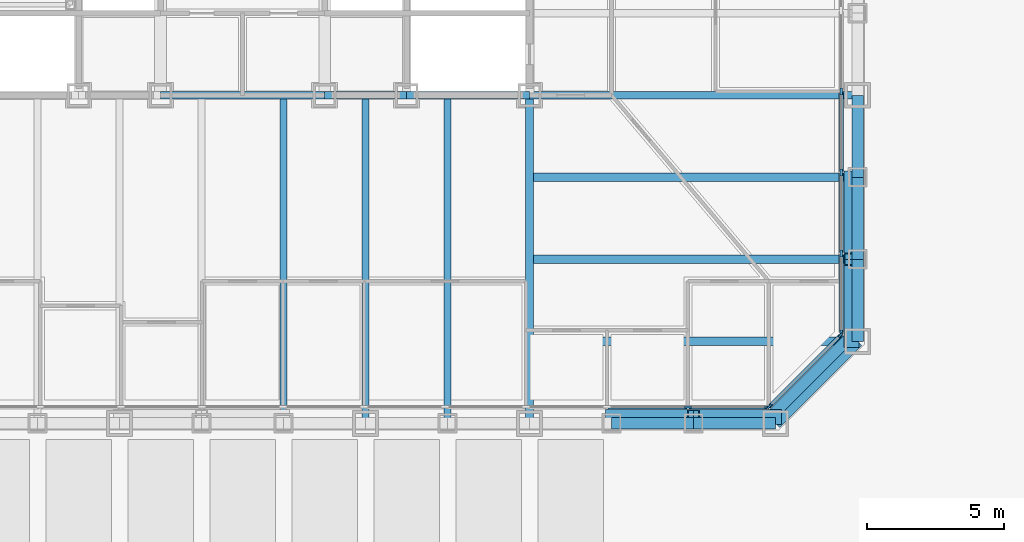
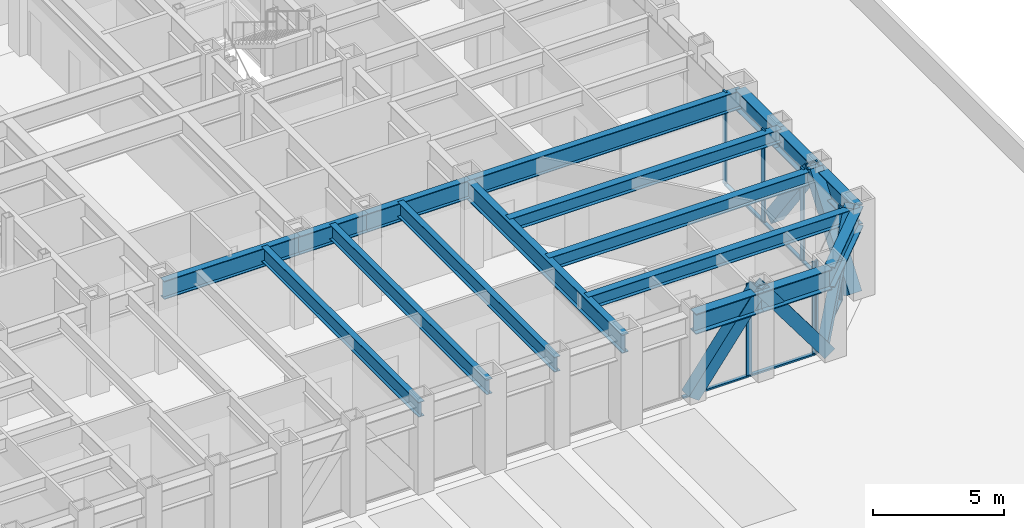
# One storey, part 3 of 18: 19 members, 17 beams, 3 elements without a shape of their own.
"""IFC4 building model written with IfcOpenShell, lengths in metres."""

from ifc_helpers import new_model, si_unit, direction, frame, origin, origin_2d, place, context, subcontext, project, spatial, rectangle, hollow_rectangle, i_section, extrude, material, layer, layer_set, material_profile, profile_set, type_object, element, aggregate, save


model = new_model("IFC4")

# Units and contexts
model_context = context("Model", 3, precision=1e-05, world=origin(), true_north=direction((0.0, 1.0)))
body_context = subcontext(model_context, "Body", "Model", "MODEL_VIEW")
ifc_project = project(units=[si_unit("LENGTHUNIT", "METRE"), si_unit("AREAUNIT", "SQUARE_METRE"), si_unit("VOLUMEUNIT", "CUBIC_METRE"), si_unit("PLANEANGLEUNIT", "RADIAN"), si_unit("MASSUNIT", "GRAM", prefix="KILO")], contexts=[model_context])

# Site, building, storey
site_placement = place(None, origin())
site = spatial("IfcSite", under=ifc_project, at=site_placement, CompositionType="ELEMENT")
building_placement = place(site_placement, origin())
building = spatial("IfcBuilding", under=site, at=building_placement, Name="Chuquiago Exchange Tower", CompositionType="ELEMENT")
storey_placement = place(building_placement, frame((0.0, 0.0, 24.300048828125)))
storey = spatial("IfcBuildingStorey", under=building, at=storey_placement, Name="L04", CompositionType="ELEMENT", Elevation=24.300048828125)

# Beams
ifc_material_1 = material(Name="Steel ASTM A992", Category="steel")
ifc_material_profile_1 = material_profile(ifc_material_1, i_section(OverallWidth=0.2919921875, OverallDepth=0.8583984375, WebThickness=0.01708984375, FlangeThickness=0.031005859375, at=origin_2d()), Name="W33X169")
ifc_profile_set_1 = profile_set([ifc_material_profile_1], Name="Steel ASTM A992")
beam_type_1 = type_object("IfcBeamType", Name="B3 W33X169", PredefinedType="BEAM", material=ifc_profile_set_1)
beam_1_placement = place(storey_placement, frame((19.5, 12.0, 3.610595703125), z_axis=(1.0, 0.0, 0.0), x_axis=(0.0, 1.0, 0.0)))
element("IfcBeam", 1, at=beam_1_placement, inside=storey, type_object=beam_type_1, Name="CB-L05-19.5_12-25.5_12", PredefinedType="BEAM", context=body_context, shape_type="SweptSolid", body=[
    extrude(i_section(OverallWidth=0.2919921875, OverallDepth=0.8583984375, WebThickness=0.01708984375, FlangeThickness=0.031005859375, at=origin_2d()), origin(), (0.0, 0.0, 1.0), 6.0),
])
beam_2_placement = place(storey_placement, frame((25.5, 12.0, 3.610595703125), z_axis=(1.0, 0.0, 0.0), x_axis=(0.0, 1.0, 0.0)))
element("IfcBeam", 2, at=beam_2_placement, inside=storey, type_object=beam_type_1, Name="CB-L05-25.5_12-28.5_12", PredefinedType="BEAM", context=body_context, shape_type="SweptSolid", body=[
    extrude(i_section(OverallWidth=0.2919921875, OverallDepth=0.8583984375, WebThickness=0.01708984375, FlangeThickness=0.031005859375, at=origin_2d()), origin(), (0.0, 0.0, 1.0), 3.0),
])
beam_3_placement = place(storey_placement, frame((28.5, 12.0, 3.610595703125), z_axis=(1.0, 0.0, 0.0), x_axis=(0.0, 1.0, 0.0)))
element("IfcBeam", 3, at=beam_3_placement, inside=storey, type_object=beam_type_1, Name="CB-L05-28.5_12-33_12", PredefinedType="BEAM", context=body_context, shape_type="SweptSolid", body=[
    extrude(i_section(OverallWidth=0.2919921875, OverallDepth=0.8583984375, WebThickness=0.01708984375, FlangeThickness=0.031005859375, at=origin_2d()), origin(), (0.0, 0.0, 1.0), 4.5),
])
ifc_material_2 = material(Name="Steel ASTM A992", Category="steel")
ifc_material_profile_2 = material_profile(ifc_material_2, i_section(OverallWidth=0.256591796875, OverallDepth=0.693359375, WebThickness=0.014404296875, FlangeThickness=0.023681640625, at=origin_2d()), Name="W27X114")
ifc_profile_set_2 = profile_set([ifc_material_profile_2], Name="Steel ASTM A992")
beam_type_2 = type_object("IfcBeamType", Name="B4 W27X114", PredefinedType="BEAM", material=ifc_profile_set_2)
for number, where, z_axis, x_axis, name in (
    (4, (24.0, 12.0, 3.693359375), (0.0, -1.0, 0.0), (1.0, 0.0, 0.0), "FB-L05-infill-24_12-24_-0-0"),
    (5, (27.0, 12.0, 3.693359375), (0.0, -1.0, 0.0), (1.0, 0.0, 0.0), "FB-L05-infill-27_12-27_-0-0"),
    (6, (30.0, 12.0, 3.693359375), (0.0, -1.0, 0.0), (1.0, 0.0, 0.0), "FB-L05-infill-30_12-30_-0-0"),
):
    element("IfcBeam", number, at=place(storey_placement, frame(where, z_axis=z_axis, x_axis=x_axis)), inside=storey, type_object=beam_type_2, Name=name, PredefinedType="BEAM", context=body_context, shape_type="SweptSolid", body=[
        extrude(i_section(OverallWidth=0.256591796875, OverallDepth=0.693359375, WebThickness=0.014404296875, FlangeThickness=0.023681640625, at=origin_2d()), origin(), (0.0, 0.0, 1.0), 12.0),
    ])
ifc_material_3 = material(Name="Steel ASTM A992", Category="steel")
ifc_material_profile_3 = material_profile(ifc_material_3, i_section(OverallWidth=0.3251953125, OverallDepth=0.6171875, WebThickness=0.013916015625, FlangeThickness=0.021484375, at=origin_2d()), Name="W24X117")
ifc_profile_set_3 = profile_set([ifc_material_profile_3], Name="Steel ASTM A992")
beam_type_3 = type_object("IfcBeamType", Name="B5 W24X117", PredefinedType="BEAM", material=ifc_profile_set_3)
for number, where, z_axis, x_axis, name in (
    (7, (33.0, 3.0, 3.7314453125), (1.0, 0.0, 0.0), (0.0, 1.0, 0.0), "FB-L05-corner-33_3-45_3-0"),
    (8, (33.0, 6.0, 3.7314453125), (1.0, 0.0, 0.0), (0.0, 1.0, 0.0), "FB-L05-corner-33_6-45_6-0"),
    (9, (33.0, 9.0, 3.7314453125), (1.0, 0.0, 0.0), (0.0, 1.0, 0.0), "FB-L05-corner-33_9-45_9-0"),
):
    element("IfcBeam", number, at=place(storey_placement, frame(where, z_axis=z_axis, x_axis=x_axis)), inside=storey, type_object=beam_type_3, Name=name, PredefinedType="BEAM", context=body_context, shape_type="SweptSolid", body=[
        extrude(i_section(OverallWidth=0.3251953125, OverallDepth=0.6171875, WebThickness=0.013916015625, FlangeThickness=0.021484375, at=origin_2d()), origin(), (0.0, 0.0, 1.0), 12.0),
    ])

# Curtain wall, members
ifc_material_4 = material(Name="Aluminium curtain wall system", Category="aluminium")
ifc_layer_1 = layer(ifc_material_4, 0.25)
ifc_layer_set_1 = layer_set([ifc_layer_1], Name="CW1 trading floor curtain wall")
curtain_wall_type_1 = type_object("IfcCurtainWallType", Name="CW1 trading floor curtain wall", PredefinedType="NOTDEFINED", material=ifc_layer_set_1)
curtain_wall_1_placement = place(storey_placement, origin())
curtain_wall_1 = element("IfcCurtainWall", 10, at=curtain_wall_1_placement, inside=storey, type_object=curtain_wall_type_1, Name="CW1 curtain wall L04", PredefinedType="NOTDEFINED")
ifc_material_5 = material(Name="Aluminium mullion, pale anodised", Category="aluminium")
ifc_material_profile_4 = material_profile(ifc_material_5, rectangle(XDim=0.074951171875, YDim=0.25, at=origin_2d()), Name="AL 75x250")
ifc_profile_set_4 = profile_set([ifc_material_profile_4], Name="Aluminium mullion, pale anodised")
member_type_1 = type_object("IfcMemberType", Name="CW1-M mullion 75x250", PredefinedType="MULLION", material=ifc_profile_set_4)
member_1_placement = place(storey_placement, frame((38.789794921875, 0.60009765625, -0.300048828125), z_axis=(0.0, 0.0, 1.0), x_axis=(0.0, 1.0, 0.0)))
member_1 = element("IfcMember", 11, at=member_1_placement, type_object=member_type_1, Name="CW1 mullion 13", PredefinedType="MULLION", context=body_context, shape_type="SweptSolid", body=[
    extrude(rectangle(XDim=0.074951171875, YDim=0.25, at=origin_2d()), origin(), (0.0, 0.0, 1.0), 4.340087890625),
])
member_2_placement = place(storey_placement, frame((41.714111328125, 0.60009765625, -0.300048828125), z_axis=(0.0, 0.0, 1.0), x_axis=(0.0, 1.0, 0.0)))
member_2 = element("IfcMember", 12, at=member_2_placement, type_object=member_type_1, Name="CW1 mullion 14", PredefinedType="MULLION", context=body_context, shape_type="SweptSolid", body=[
    extrude(rectangle(XDim=0.074951171875, YDim=0.25, at=origin_2d()), origin(), (0.0, 0.0, 1.0), 4.340087890625),
])

curtain_wall_2_placement = place(storey_placement, origin())
curtain_wall_2 = element("IfcCurtainWall", 13, at=curtain_wall_2_placement, inside=storey, type_object=curtain_wall_type_1, Name="CW1 curtain wall L04", PredefinedType="NOTDEFINED")
member_3_placement = place(storey_placement, frame((44.39990234375, 3.285888671875, -0.300048828125), z_axis=(0.0, 0.0, 1.0), x_axis=(-1.0, 0.0, 0.0)))
member_3 = element("IfcMember", 14, at=member_3_placement, type_object=member_type_1, Name="CW1 mullion 1", PredefinedType="MULLION", context=body_context, shape_type="SweptSolid", body=[
    extrude(rectangle(XDim=0.074951171875, YDim=0.25, at=origin_2d()), origin(), (0.0, 0.0, 1.0), 4.340087890625),
])
member_4_placement = place(storey_placement, frame((44.39990234375, 6.210205078125, -0.300048828125), z_axis=(0.0, 0.0, 1.0), x_axis=(-1.0, 0.0, 0.0)))
member_4 = element("IfcMember", 15, at=member_4_placement, type_object=member_type_1, Name="CW1 mullion 2", PredefinedType="MULLION", context=body_context, shape_type="SweptSolid", body=[
    extrude(rectangle(XDim=0.074951171875, YDim=0.25, at=origin_2d()), origin(), (0.0, 0.0, 1.0), 4.340087890625),
])
member_5_placement = place(storey_placement, frame((44.39990234375, 9.172119140625, -0.300048828125), z_axis=(0.0, 0.0, 1.0), x_axis=(-1.0, 0.0, 0.0)))
member_5 = element("IfcMember", 16, at=member_5_placement, type_object=member_type_1, Name="CW1 mullion 3", PredefinedType="MULLION", context=body_context, shape_type="SweptSolid", body=[
    extrude(rectangle(XDim=0.074951171875, YDim=0.25, at=origin_2d()), origin(), (0.0, 0.0, 1.0), 4.340087890625),
])
member_6_placement = place(storey_placement, frame((44.39990234375, 12.1337890625, -0.300048828125), z_axis=(0.0, 0.0, 1.0), x_axis=(-1.0, 0.0, 0.0)))
member_6 = element("IfcMember", 17, at=member_6_placement, type_object=member_type_1, Name="CW1 mullion 4", PredefinedType="MULLION", context=body_context, shape_type="SweptSolid", body=[
    extrude(rectangle(XDim=0.074951171875, YDim=0.25, at=origin_2d()), origin(), (0.0, 0.0, 1.0), 4.340087890625),
])

# Member
ifc_material_6 = material(Name="Aluminium transom, pale anodised", Category="aluminium")
ifc_material_profile_5 = material_profile(ifc_material_6, rectangle(XDim=0.14990234375, YDim=0.074951171875, at=origin_2d()), Name="AL 150x75")
ifc_profile_set_5 = profile_set([ifc_material_profile_5], Name="Aluminium transom, pale anodised")
member_type_2 = type_object("IfcMemberType", Name="CW1-T transom 75x150", PredefinedType="MULLION", material=ifc_profile_set_5)
member_7_placement = place(storey_placement, frame((35.865478515625, 0.60009765625, -0.262451171875), z_axis=(1.0, 0.0, 0.0), x_axis=(0.0, 1.0, 0.0)))
member_7 = element("IfcMember", 18, at=member_7_placement, type_object=member_type_2, Name="CW1 transom 12.1", PredefinedType="MULLION", context=body_context, shape_type="SweptSolid", body=[
    extrude(rectangle(XDim=0.14990234375, YDim=0.074951171875, at=origin_2d()), origin(), (0.0, 0.0, 1.0), 2.88671875),
])

member_8_placement = place(storey_placement, frame((38.8271484375, 0.60009765625, -0.262451171875), z_axis=(1.0, 0.0, 0.0), x_axis=(0.0, 1.0, 0.0)))
member_8 = element("IfcMember", 19, at=member_8_placement, type_object=member_type_2, Name="CW1 transom 13.1", PredefinedType="MULLION", context=body_context, shape_type="SweptSolid", body=[
    extrude(rectangle(XDim=0.14990234375, YDim=0.074951171875, at=origin_2d()), origin(), (0.0, 0.0, 1.0), 2.849365234375),
])

aggregate(curtain_wall_1, [member_1, member_2, member_7, member_8])

member_9_placement = place(storey_placement, frame((44.39990234375, 3.323486328125, -0.262451171875), z_axis=(0.0, 1.0, 0.0), x_axis=(-1.0, 0.0, 0.0)))
member_9 = element("IfcMember", 20, at=member_9_placement, type_object=member_type_2, Name="CW1 transom 1.1", PredefinedType="MULLION", context=body_context, shape_type="SweptSolid", body=[
    extrude(rectangle(XDim=0.14990234375, YDim=0.074951171875, at=origin_2d()), origin(), (0.0, 0.0, 1.0), 2.849365234375),
])

member_10_placement = place(storey_placement, frame((44.39990234375, 6.247802734375, -0.262451171875), z_axis=(0.0, 1.0, 0.0), x_axis=(-1.0, 0.0, 0.0)))
member_10 = element("IfcMember", 21, at=member_10_placement, type_object=member_type_2, Name="CW1 transom 2.1", PredefinedType="MULLION", context=body_context, shape_type="SweptSolid", body=[
    extrude(rectangle(XDim=0.14990234375, YDim=0.074951171875, at=origin_2d()), origin(), (0.0, 0.0, 1.0), 2.88671875),
])

member_11_placement = place(storey_placement, frame((44.39990234375, 9.20947265625, -0.262451171875), z_axis=(0.0, 1.0, 0.0), x_axis=(-1.0, 0.0, 0.0)))
member_11 = element("IfcMember", 22, at=member_11_placement, type_object=member_type_2, Name="CW1 transom 3.1", PredefinedType="MULLION", context=body_context, shape_type="SweptSolid", body=[
    extrude(rectangle(XDim=0.14990234375, YDim=0.074951171875, at=origin_2d()), origin(), (0.0, 0.0, 1.0), 2.88671875),
])

aggregate(curtain_wall_2, [member_3, member_4, member_5, member_6, member_9, member_10, member_11])

# Curtain wall, members
ifc_material_7 = material(Name="Aluminium curtain wall system", Category="aluminium")
ifc_layer_2 = layer(ifc_material_7, 0.199951171875)
ifc_layer_set_2 = layer_set([ifc_layer_2], Name="CW3 facet curtain wall")
curtain_wall_type_2 = type_object("IfcCurtainWallType", Name="CW3 facet curtain wall", PredefinedType="NOTDEFINED", material=ifc_layer_set_2)
curtain_wall_3_placement = place(storey_placement, origin())
curtain_wall_3 = element("IfcCurtainWall", 23, at=curtain_wall_3_placement, inside=storey, type_object=curtain_wall_type_2, Name="CW3 curtain wall L04", PredefinedType="NOTDEFINED")
ifc_material_8 = material(Name="Aluminium mullion, pale anodised", Category="aluminium")
ifc_material_profile_6 = material_profile(ifc_material_8, rectangle(XDim=0.06494140625, YDim=0.199951171875, at=origin_2d()), Name="AL 65x200")
ifc_profile_set_6 = profile_set([ifc_material_profile_6], Name="Aluminium mullion, pale anodised")
member_type_3 = type_object("IfcMemberType", Name="CW3-M mullion 65x200", PredefinedType="MULLION", material=ifc_profile_set_6)
member_12_placement = place(storey_placement, frame((41.7744140625, 0.623046875, -0.300048828125), z_axis=(0.0, 0.0, 1.0), x_axis=(-0.707106781187, 0.707106781187, 0.0)))
member_12 = element("IfcMember", 24, at=member_12_placement, type_object=member_type_3, Name="CW3 mullion 1", PredefinedType="MULLION", context=body_context, shape_type="SweptSolid", body=[
    extrude(rectangle(XDim=0.06494140625, YDim=0.199951171875, at=origin_2d()), origin(), (0.0, 0.0, 1.0), 4.340087890625),
])
member_13_placement = place(storey_placement, frame((44.376953125, 3.2255859375, -0.300048828125), z_axis=(0.0, 0.0, 1.0), x_axis=(-0.707106781187, 0.707106781187, 0.0)))
member_13 = element("IfcMember", 25, at=member_13_placement, type_object=member_type_3, Name="CW3 mullion 2", PredefinedType="MULLION", context=body_context, shape_type="SweptSolid", body=[
    extrude(rectangle(XDim=0.06494140625, YDim=0.199951171875, at=origin_2d()), origin(), (0.0, 0.0, 1.0), 4.340087890625),
])
ifc_material_9 = material(Name="Aluminium transom, pale anodised", Category="aluminium")
ifc_material_profile_7 = material_profile(ifc_material_9, rectangle(XDim=0.139892578125, YDim=0.06494140625, at=origin_2d()), Name="AL 140x65")
ifc_profile_set_7 = profile_set([ifc_material_profile_7], Name="Aluminium transom, pale anodised")
member_type_4 = type_object("IfcMemberType", Name="CW3-T transom 65x140", PredefinedType="MULLION", material=ifc_profile_set_7)
member_14_placement = place(storey_placement, frame((41.79736328125, 0.64599609375, -0.267578125), z_axis=(0.707106781187, 0.707106781187, 0.0), x_axis=(-0.707106781187, 0.707106781187, 0.0)))
member_14 = element("IfcMember", 26, at=member_14_placement, type_object=member_type_4, Name="CW3 transom 1.1", PredefinedType="MULLION", context=body_context, shape_type="SweptSolid", body=[
    extrude(rectangle(XDim=0.139892578125, YDim=0.06494140625, at=origin_2d()), origin(), (0.0, 0.0, 1.0), 3.61572265625),
])
aggregate(curtain_wall_3, [member_12, member_13, member_14])

# Beams
ifc_material_10 = material(Name="Steel ASTM A992", Category="steel")
ifc_material_profile_8 = material_profile(ifc_material_10, i_section(OverallWidth=0.2919921875, OverallDepth=0.8583984375, WebThickness=0.01708984375, FlangeThickness=0.031005859375, at=origin_2d()), Name="W33X169")
ifc_profile_set_8 = profile_set([ifc_material_profile_8], Name="Steel ASTM A992")
beam_type_4 = type_object("IfcBeamType", Name="G2 W33X169", PredefinedType="BEAM", material=ifc_profile_set_8)
for number, where, z_axis, x_axis, name in (
    (27, (33.0, 12.0, 3.610595703125), (0.0, -1.0, 0.0), (1.0, 0.0, 0.0), "FB-L05-girder-33_12-33_-0-0"),
    (28, (33.0, 12.0, 3.610595703125), (1.0, 0.0, 0.0), (0.0, 1.0, 0.0), "FB-L05-girder-33_12-45_12-0"),
):
    element("IfcBeam", number, at=place(storey_placement, frame(where, z_axis=z_axis, x_axis=x_axis)), inside=storey, type_object=beam_type_4, Name=name, PredefinedType="BEAM", context=body_context, shape_type="SweptSolid", body=[
        extrude(i_section(OverallWidth=0.2919921875, OverallDepth=0.8583984375, WebThickness=0.01708984375, FlangeThickness=0.031005859375, at=origin_2d()), origin(), (0.0, 0.0, 1.0), 12.0),
    ])

# Members
ifc_material_11 = material(Name="Steel ASTM A500 Grade C", Category="steel")
ifc_material_profile_9 = material_profile(ifc_material_11, hollow_rectangle(XDim=0.406494140625, YDim=0.406494140625, WallThickness=0.0146484375, at=origin_2d()), Name="HSS16X16X5/8")
ifc_profile_set_9 = profile_set([ifc_material_profile_9], Name="Steel ASTM A500 Grade C")
member_type_5 = type_object("IfcMemberType", Name="LB4 HSS16X16X5/8", PredefinedType="BRACE", material=ifc_profile_set_9)
member_15_placement = place(storey_placement, frame((41.78662109375, 0.21337890625, 0.0), z_axis=(0.512077265487, 0.512077265487, 0.689604051861), x_axis=(-0.707106781187, 0.707106781187, 0.0)))
element("IfcMember", 29, at=member_15_placement, inside=storey, type_object=member_type_5, Name="LB-L04-42_0-45_3", PredefinedType="BRACE", context=body_context, shape_type="SweptSolid", body=[
    extrude(hollow_rectangle(XDim=0.406494140625, YDim=0.406494140625, WallThickness=0.0146484375, at=origin_2d()), origin(), (0.0, 0.0, 1.0), 5.8583984375),
])
ifc_material_12 = material(Name="Steel ASTM A572 Grade 50", Category="steel")
ifc_material_profile_10 = material_profile(ifc_material_12, hollow_rectangle(XDim=0.550048828125, YDim=0.550048828125, WallThickness=0.044921875, at=origin_2d()), Name="BOX550X550X45")
ifc_profile_set_10 = profile_set([ifc_material_profile_10], Name="Steel ASTM A572 Grade 50")
member_type_6 = type_object("IfcMemberType", Name="MB1 BOX550X550X45", PredefinedType="BRACE", material=ifc_profile_set_10)
for number, where, z_axis, x_axis, name in (
    (30, (36.0, 0.22998046875, 0.0), (0.596173923302, 0.0, 0.802855312728), (0.0, 1.0, 0.0), "Mega diagonal L04 S face"),
    (31, (42.0, 0.22998046875, 0.0), (-0.596173923302, 0.0, 0.802855312728), (0.0, -1.0, 0.0), "Mega diagonal L04 S face"),
    (32, (44.77001953125, 3.0, 0.0), (0.0, 0.596173923302, 0.802855312728), (-1.0, 0.0, 0.0), "Mega diagonal L04 E face"),
    (33, (44.77001953125, 9.0, 0.0), (0.0, -0.596173923302, 0.802855312728), (1.0, 0.0, 0.0), "Mega diagonal L04 E face"),
):
    element("IfcMember", number, at=place(storey_placement, frame(where, z_axis=z_axis, x_axis=x_axis)), inside=storey, type_object=member_type_6, Name=name, PredefinedType="BRACE", context=body_context, shape_type="SweptSolid", body=[
        extrude(hollow_rectangle(XDim=0.550048828125, YDim=0.550048828125, WallThickness=0.044921875, at=origin_2d()), origin(), (0.0, 0.0, 1.0), 5.031982421875),
    ])

# Beams
ifc_material_13 = material(Name="Steel ASTM A992", Category="steel")
ifc_material_profile_11 = material_profile(ifc_material_13, i_section(OverallWidth=0.424072265625, OverallDepth=0.947509765625, WebThickness=0.02392578125, FlangeThickness=0.042724609375, at=origin_2d()), Name="W36X302")
ifc_profile_set_11 = profile_set([ifc_material_profile_11], Name="Steel ASTM A992")
beam_type_5 = type_object("IfcBeamType", Name="SP1 W36X302", PredefinedType="SPANDREL", material=ifc_profile_set_11)
for number, where, z_axis, x_axis, name in (
    (34, (36.0, 0.0, 3.566162109375), (1.0, 0.0, 0.0), (0.0, 1.0, 0.0), "SPB-L05-36_0-39_0"),
    (35, (39.0, 0.0, 3.566162109375), (1.0, 0.0, 0.0), (0.0, 1.0, 0.0), "SPB-L05-39_0-42_0"),
):
    element("IfcBeam", number, at=place(storey_placement, frame(where, z_axis=z_axis, x_axis=x_axis)), inside=storey, type_object=beam_type_5, Name=name, PredefinedType="SPANDREL", context=body_context, shape_type="SweptSolid", body=[
        extrude(i_section(OverallWidth=0.424072265625, OverallDepth=0.947509765625, WebThickness=0.02392578125, FlangeThickness=0.042724609375, at=origin_2d()), origin(), (0.0, 0.0, 1.0), 3.0),
    ])
beam_4_placement = place(storey_placement, frame((42.0, 0.0, 3.566162109375), z_axis=(0.707106781187, 0.707106781187, 0.0), x_axis=(-0.707106781187, 0.707106781187, 0.0)))
element("IfcBeam", 36, at=beam_4_placement, inside=storey, type_object=beam_type_5, Name="SPB-L05-42_0-45_3", PredefinedType="SPANDREL", context=body_context, shape_type="SweptSolid", body=[
    extrude(i_section(OverallWidth=0.424072265625, OverallDepth=0.947509765625, WebThickness=0.02392578125, FlangeThickness=0.042724609375, at=origin_2d()), origin(), (0.0, 0.0, 1.0), 4.24267578125),
])
for number, where, z_axis, x_axis, name in (
    (37, (45.0, 3.0, 3.566162109375), (0.0, 1.0, 0.0), (-1.0, 0.0, 0.0), "SPB-L05-45_3-45_6"),
    (38, (45.0, 6.0, 3.566162109375), (0.0, 1.0, 0.0), (-1.0, 0.0, 0.0), "SPB-L05-45_6-45_9"),
    (39, (45.0, 9.0, 3.566162109375), (0.0, 1.0, 0.0), (-1.0, 0.0, 0.0), "SPB-L05-45_9-45_12"),
):
    element("IfcBeam", number, at=place(storey_placement, frame(where, z_axis=z_axis, x_axis=x_axis)), inside=storey, type_object=beam_type_5, Name=name, PredefinedType="SPANDREL", context=body_context, shape_type="SweptSolid", body=[
        extrude(i_section(OverallWidth=0.424072265625, OverallDepth=0.947509765625, WebThickness=0.02392578125, FlangeThickness=0.042724609375, at=origin_2d()), origin(), (0.0, 0.0, 1.0), 3.0),
    ])

save(model, "model.ifc")
